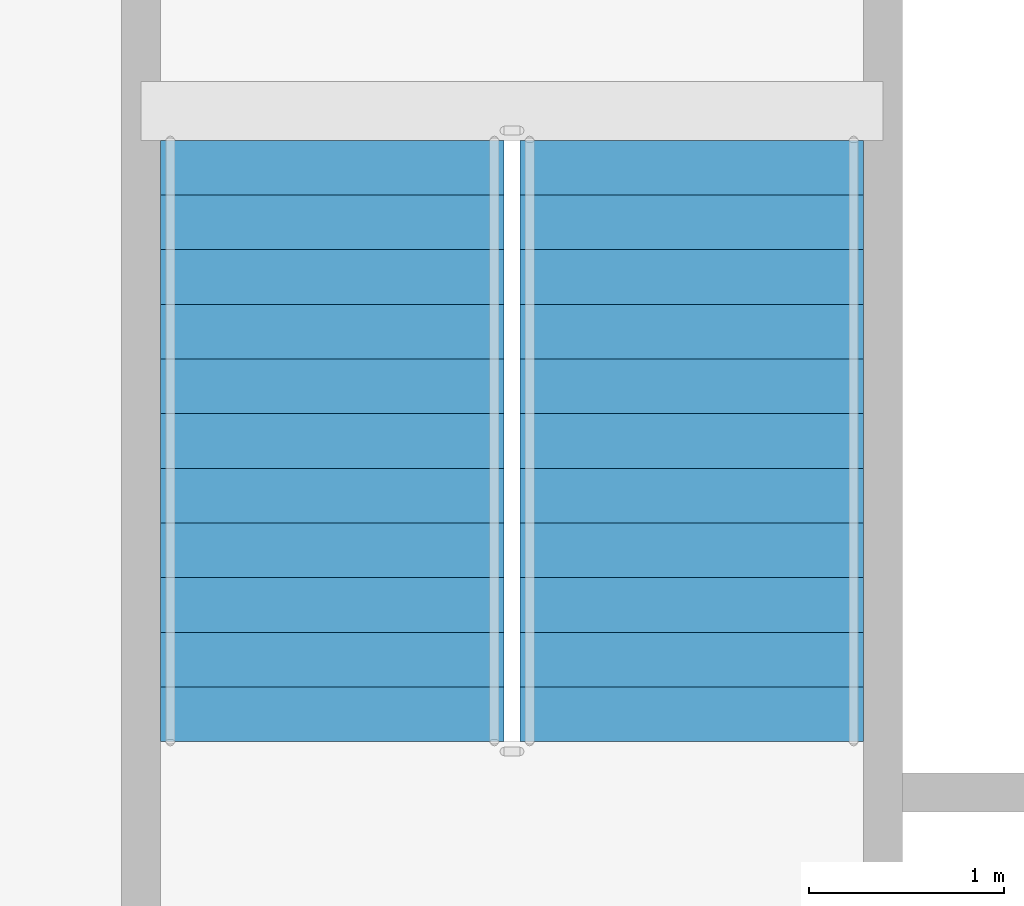
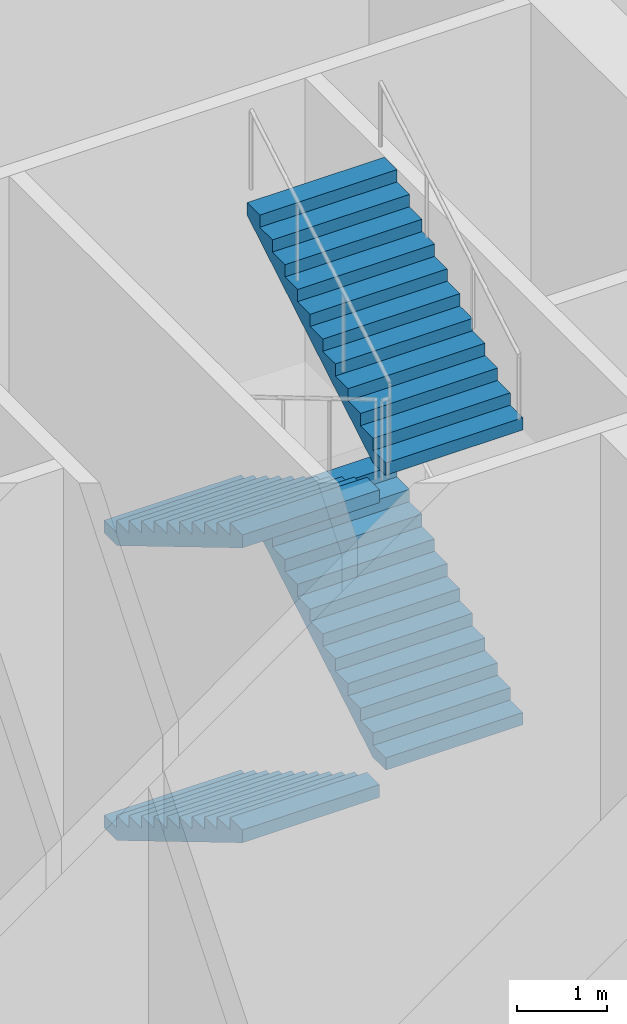
# One storey, part 53 of 63: 4 stair flights, 1 element without a shape of its own.
"""IFC4 building model written with IfcOpenShell, lengths in metres."""

from ifc_helpers import new_model, si_unit, direction, frame, origin, place, context, subcontext, project, spatial, faceted_brep, material, type_object, element, aggregate, save


model = new_model("IFC4")

# Units and contexts
model_context = context("Model", 3, precision=1e-05, world=origin(), true_north=direction((0.0, 1.0)))
body_context = subcontext(model_context, "Body", "Model", "MODEL_VIEW")
ifc_project = project(units=[si_unit("LENGTHUNIT", "METRE"), si_unit("AREAUNIT", "SQUARE_METRE"), si_unit("VOLUMEUNIT", "CUBIC_METRE"), si_unit("PLANEANGLEUNIT", "RADIAN"), si_unit("MASSUNIT", "GRAM", prefix="KILO")], contexts=[model_context])

# Site, building, storey
site_placement = place(None, origin())
site = spatial("IfcSite", under=ifc_project, at=site_placement, CompositionType="ELEMENT")
building_placement = place(site_placement, origin())
building = spatial("IfcBuilding", under=site, at=building_placement, Name="Tarsis Ring Headquarters", CompositionType="ELEMENT")
storey_placement = place(building_placement, frame((0.0, 0.0, 139.60009765625)))
storey = spatial("IfcBuildingStorey", under=building, at=storey_placement, Name="L32", CompositionType="ELEMENT", Elevation=139.60009765625)

# Stair, stair flights
ifc_material_1 = material(Name="Core stair 1760")
stair_type = type_object("IfcStairType", Name="Core stair 1760", PredefinedType="HALF_TURN_STAIR", material=ifc_material_1)
stair_placement = place(storey_placement, origin())
stair = element("IfcStair", 1, at=stair_placement, inside=storey, type_object=stair_type, Name="L32 Exit stair D", PredefinedType="HALF_TURN_STAIR")
ifc_material_2 = material(Name="Concrete C40/50", Category="concrete")
stair_flight_type = type_object("IfcStairFlightType", Name="Core stair flight 1760", PredefinedType="STRAIGHT", material=ifc_material_2)
stair_flight_1_placement = place(storey_placement, frame((3.580078125, -3.659912109375, 0.0), z_axis=(0.0, 0.0, 1.0), x_axis=(0.0, -1.0, 0.0)))
stair_flight_1 = element("IfcStairFlight", 2, at=stair_flight_1_placement, type_object=stair_flight_type, Name="Stair ST4 flight 1", NumberOfRisers=12, NumberOfTreads=11, PredefinedType="STRAIGHT", RiserHeight=0.166666667, TreadLength=0.28, context=body_context, shape_type="Brep", body=[
    faceted_brep([(0.0, 0.8798828125, 0.0), (0.0, 0.8798828125, 0.166748046875), (0.280029296875, 0.8798828125, 0.166748046875), (0.280029296875, 0.8798828125, 0.333251953125), (0.56005859375, 0.8798828125, 0.333251953125), (0.56005859375, 0.8798828125, 0.5), (0.840087890625, 0.8798828125, 0.5), (0.840087890625, 0.8798828125, 0.666748046875), (1.1201171875, 0.8798828125, 0.666748046875), (1.1201171875, 0.8798828125, 0.833251953125), (1.39990234375, 0.8798828125, 0.833251953125), (1.39990234375, 0.8798828125, 1.0), (1.679931640625, 0.8798828125, 1.0), (1.679931640625, 0.8798828125, 1.166748046875), (1.9599609375, 0.8798828125, 1.166748046875), (1.9599609375, 0.8798828125, 1.333251953125), (2.239990234375, 0.8798828125, 1.333251953125), (2.239990234375, 0.8798828125, 1.5), (2.52001953125, 0.8798828125, 1.5), (2.52001953125, 0.8798828125, 1.666748046875), (2.800048828125, 0.8798828125, 1.666748046875), (2.800048828125, 0.8798828125, 1.833251953125), (3.080078125, 0.8798828125, 1.833251953125), (3.080078125, 0.8798828125, 1.658935546875), (0.29296875, 0.8798828125, 0.0), (0.29296875, -0.8798828125, 0.0), (3.080078125, -0.8798828125, 1.658935546875), (3.080078125, -0.8798828125, 1.833251953125), (2.800048828125, -0.8798828125, 1.833251953125), (2.800048828125, -0.8798828125, 1.666748046875), (2.52001953125, -0.8798828125, 1.666748046875), (2.52001953125, -0.8798828125, 1.5), (2.239990234375, -0.8798828125, 1.5), (2.239990234375, -0.8798828125, 1.333251953125), (1.9599609375, -0.8798828125, 1.333251953125), (1.9599609375, -0.8798828125, 1.166748046875), (1.679931640625, -0.8798828125, 1.166748046875), (1.679931640625, -0.8798828125, 1.0), (1.39990234375, -0.8798828125, 1.0), (1.39990234375, -0.8798828125, 0.833251953125), (1.1201171875, -0.8798828125, 0.833251953125), (1.1201171875, -0.8798828125, 0.666748046875), (0.840087890625, -0.8798828125, 0.666748046875), (0.840087890625, -0.8798828125, 0.5), (0.56005859375, -0.8798828125, 0.5), (0.56005859375, -0.8798828125, 0.333251953125), (0.280029296875, -0.8798828125, 0.333251953125), (0.280029296875, -0.8798828125, 0.166748046875), (0.0, -0.8798828125, 0.166748046875), (0.0, -0.8798828125, 0.0), (0.0, -0.43994140625, 0.166748046875), (0.0, -0.43994140625, 0.0), (0.0, 0.0, 0.166748046875), (0.0, 0.0, 0.0), (0.0, 0.43994140625, 0.166748046875), (0.0, 0.43994140625, 0.0), (0.280029296875, -0.43994140625, 0.166748046875), (0.280029296875, 0.0, 0.166748046875), (0.280029296875, 0.43994140625, 0.166748046875), (0.280029296875, -0.43994140625, 0.333251953125), (0.280029296875, 0.0, 0.333251953125), (0.280029296875, 0.43994140625, 0.333251953125), (0.56005859375, -0.43994140625, 0.333251953125), (0.56005859375, 0.0, 0.333251953125), (0.56005859375, 0.43994140625, 0.333251953125), (0.56005859375, -0.43994140625, 0.5), (0.56005859375, 0.0, 0.5), (0.56005859375, 0.43994140625, 0.5), (0.840087890625, -0.43994140625, 0.5), (0.840087890625, 0.0, 0.5), (0.840087890625, 0.43994140625, 0.5), (0.840087890625, -0.43994140625, 0.666748046875), (0.840087890625, 0.0, 0.666748046875), (0.840087890625, 0.43994140625, 0.666748046875), (1.1201171875, -0.43994140625, 0.666748046875), (1.1201171875, 0.0, 0.666748046875), (1.1201171875, 0.43994140625, 0.666748046875), (1.1201171875, -0.43994140625, 0.833251953125), (1.1201171875, 0.0, 0.833251953125), (1.1201171875, 0.43994140625, 0.833251953125), (1.39990234375, -0.43994140625, 0.833251953125), (1.39990234375, 0.0, 0.833251953125), (1.39990234375, 0.43994140625, 0.833251953125), (1.39990234375, -0.43994140625, 1.0), (1.39990234375, 0.0, 1.0), (1.39990234375, 0.43994140625, 1.0), (1.679931640625, -0.43994140625, 1.0), (1.679931640625, 0.0, 1.0), (1.679931640625, 0.43994140625, 1.0), (1.679931640625, -0.43994140625, 1.166748046875), (1.679931640625, 0.0, 1.166748046875), (1.679931640625, 0.43994140625, 1.166748046875), (1.9599609375, -0.43994140625, 1.166748046875), (1.9599609375, 0.0, 1.166748046875), (1.9599609375, 0.43994140625, 1.166748046875), (1.9599609375, -0.43994140625, 1.333251953125), (1.9599609375, 0.0, 1.333251953125), (1.9599609375, 0.43994140625, 1.333251953125), (2.239990234375, -0.43994140625, 1.333251953125), (2.239990234375, 0.0, 1.333251953125), (2.239990234375, 0.43994140625, 1.333251953125), (2.239990234375, -0.43994140625, 1.5), (2.239990234375, 0.0, 1.5), (2.239990234375, 0.43994140625, 1.5), (2.52001953125, -0.43994140625, 1.5), (2.52001953125, 0.0, 1.5), (2.52001953125, 0.43994140625, 1.5), (2.52001953125, -0.43994140625, 1.666748046875), (2.52001953125, 0.0, 1.666748046875), (2.52001953125, 0.43994140625, 1.666748046875), (2.800048828125, -0.43994140625, 1.666748046875), (2.800048828125, 0.0, 1.666748046875), (2.800048828125, 0.43994140625, 1.666748046875), (2.800048828125, -0.43994140625, 1.833251953125), (2.800048828125, 0.0, 1.833251953125), (2.800048828125, 0.43994140625, 1.833251953125), (3.080078125, -0.43994140625, 1.833251953125), (3.080078125, 0.0, 1.833251953125), (3.080078125, 0.43994140625, 1.833251953125), (3.080078125, -0.43994140625, 1.658935546875), (3.080078125, 0.0, 1.658935546875), (3.080078125, 0.43994140625, 1.658935546875), (0.29296875, -0.43994140625, 0.0), (0.29296875, 0.0, 0.0), (0.29296875, 0.43994140625, 0.0)], [[[0, 1, 2, 3, 4, 5, 6, 7, 8, 9, 10, 11, 12, 13, 14, 15, 16, 17, 18, 19, 20, 21, 22, 23, 24]], [[25, 26, 27, 28, 29, 30, 31, 32, 33, 34, 35, 36, 37, 38, 39, 40, 41, 42, 43, 44, 45, 46, 47, 48, 49]], [[49, 48, 50, 51]], [[51, 50, 52, 53]], [[53, 52, 54, 55]], [[55, 54, 1, 0]], [[48, 47, 56, 50]], [[50, 56, 57, 52]], [[52, 57, 58, 54]], [[54, 58, 2, 1]], [[47, 46, 59, 56]], [[56, 59, 60, 57]], [[57, 60, 61, 58]], [[58, 61, 3, 2]], [[46, 45, 62, 59]], [[59, 62, 63, 60]], [[60, 63, 64, 61]], [[61, 64, 4, 3]], [[45, 44, 65, 62]], [[62, 65, 66, 63]], [[63, 66, 67, 64]], [[64, 67, 5, 4]], [[44, 43, 68, 65]], [[65, 68, 69, 66]], [[66, 69, 70, 67]], [[67, 70, 6, 5]], [[43, 42, 71, 68]], [[68, 71, 72, 69]], [[69, 72, 73, 70]], [[70, 73, 7, 6]], [[42, 41, 74, 71]], [[71, 74, 75, 72]], [[72, 75, 76, 73]], [[73, 76, 8, 7]], [[41, 40, 77, 74]], [[74, 77, 78, 75]], [[75, 78, 79, 76]], [[76, 79, 9, 8]], [[40, 39, 80, 77]], [[77, 80, 81, 78]], [[78, 81, 82, 79]], [[79, 82, 10, 9]], [[39, 38, 83, 80]], [[80, 83, 84, 81]], [[81, 84, 85, 82]], [[82, 85, 11, 10]], [[38, 37, 86, 83]], [[83, 86, 87, 84]], [[84, 87, 88, 85]], [[85, 88, 12, 11]], [[37, 36, 89, 86]], [[86, 89, 90, 87]], [[87, 90, 91, 88]], [[88, 91, 13, 12]], [[36, 35, 92, 89]], [[89, 92, 93, 90]], [[90, 93, 94, 91]], [[91, 94, 14, 13]], [[35, 34, 95, 92]], [[92, 95, 96, 93]], [[93, 96, 97, 94]], [[94, 97, 15, 14]], [[34, 33, 98, 95]], [[95, 98, 99, 96]], [[96, 99, 100, 97]], [[97, 100, 16, 15]], [[33, 32, 101, 98]], [[98, 101, 102, 99]], [[99, 102, 103, 100]], [[100, 103, 17, 16]], [[32, 31, 104, 101]], [[101, 104, 105, 102]], [[102, 105, 106, 103]], [[103, 106, 18, 17]], [[31, 30, 107, 104]], [[104, 107, 108, 105]], [[105, 108, 109, 106]], [[106, 109, 19, 18]], [[30, 29, 110, 107]], [[107, 110, 111, 108]], [[108, 111, 112, 109]], [[109, 112, 20, 19]], [[29, 28, 113, 110]], [[110, 113, 114, 111]], [[111, 114, 115, 112]], [[112, 115, 21, 20]], [[28, 27, 116, 113]], [[113, 116, 117, 114]], [[114, 117, 118, 115]], [[115, 118, 22, 21]], [[27, 26, 119, 116]], [[116, 119, 120, 117]], [[117, 120, 121, 118]], [[118, 121, 23, 22]], [[26, 25, 122, 119]], [[119, 122, 123, 120]], [[120, 123, 124, 121]], [[121, 124, 24, 23]], [[25, 49, 51, 122]], [[122, 51, 53, 123]], [[123, 53, 55, 124]], [[124, 55, 0, 24]]]),
])
stair_flight_2_placement = place(storey_placement, frame((5.419921875, -6.739990234375, 2.0), z_axis=(0.0, 0.0, 1.0), x_axis=(0.0, 1.0, 0.0)))
stair_flight_2 = element("IfcStairFlight", 3, at=stair_flight_2_placement, type_object=stair_flight_type, Name="Stair ST4 flight 2", NumberOfRisers=12, NumberOfTreads=11, PredefinedType="STRAIGHT", RiserHeight=0.166666667, TreadLength=0.28, context=body_context, shape_type="Brep", body=[
    faceted_brep([(0.0, 0.8798828125, 0.0), (0.0, 0.8798828125, 0.166748046875), (0.280029296875, 0.8798828125, 0.166748046875), (0.280029296875, 0.8798828125, 0.333251953125), (0.56005859375, 0.8798828125, 0.333251953125), (0.56005859375, 0.8798828125, 0.5), (0.840087890625, 0.8798828125, 0.5), (0.840087890625, 0.8798828125, 0.666748046875), (1.1201171875, 0.8798828125, 0.666748046875), (1.1201171875, 0.8798828125, 0.833251953125), (1.39990234375, 0.8798828125, 0.833251953125), (1.39990234375, 0.8798828125, 1.0), (1.679931640625, 0.8798828125, 1.0), (1.679931640625, 0.8798828125, 1.166748046875), (1.9599609375, 0.8798828125, 1.166748046875), (1.9599609375, 0.8798828125, 1.333251953125), (2.239990234375, 0.8798828125, 1.333251953125), (2.239990234375, 0.8798828125, 1.5), (2.52001953125, 0.8798828125, 1.5), (2.52001953125, 0.8798828125, 1.666748046875), (2.800048828125, 0.8798828125, 1.666748046875), (2.800048828125, 0.8798828125, 1.833251953125), (3.080078125, 0.8798828125, 1.833251953125), (3.080078125, 0.8798828125, 1.658935546875), (0.29296875, 0.8798828125, 0.0), (0.29296875, -0.8798828125, 0.0), (3.080078125, -0.8798828125, 1.658935546875), (3.080078125, -0.8798828125, 1.833251953125), (2.800048828125, -0.8798828125, 1.833251953125), (2.800048828125, -0.8798828125, 1.666748046875), (2.52001953125, -0.8798828125, 1.666748046875), (2.52001953125, -0.8798828125, 1.5), (2.239990234375, -0.8798828125, 1.5), (2.239990234375, -0.8798828125, 1.333251953125), (1.9599609375, -0.8798828125, 1.333251953125), (1.9599609375, -0.8798828125, 1.166748046875), (1.679931640625, -0.8798828125, 1.166748046875), (1.679931640625, -0.8798828125, 1.0), (1.39990234375, -0.8798828125, 1.0), (1.39990234375, -0.8798828125, 0.833251953125), (1.1201171875, -0.8798828125, 0.833251953125), (1.1201171875, -0.8798828125, 0.666748046875), (0.840087890625, -0.8798828125, 0.666748046875), (0.840087890625, -0.8798828125, 0.5), (0.56005859375, -0.8798828125, 0.5), (0.56005859375, -0.8798828125, 0.333251953125), (0.280029296875, -0.8798828125, 0.333251953125), (0.280029296875, -0.8798828125, 0.166748046875), (0.0, -0.8798828125, 0.166748046875), (0.0, -0.8798828125, 0.0), (0.0, -0.43994140625, 0.166748046875), (0.0, -0.43994140625, 0.0), (0.0, 0.0, 0.166748046875), (0.0, 0.0, 0.0), (0.0, 0.43994140625, 0.166748046875), (0.0, 0.43994140625, 0.0), (0.280029296875, -0.43994140625, 0.166748046875), (0.280029296875, 0.0, 0.166748046875), (0.280029296875, 0.43994140625, 0.166748046875), (0.280029296875, -0.43994140625, 0.333251953125), (0.280029296875, 0.0, 0.333251953125), (0.280029296875, 0.43994140625, 0.333251953125), (0.56005859375, -0.43994140625, 0.333251953125), (0.56005859375, 0.0, 0.333251953125), (0.56005859375, 0.43994140625, 0.333251953125), (0.56005859375, -0.43994140625, 0.5), (0.56005859375, 0.0, 0.5), (0.56005859375, 0.43994140625, 0.5), (0.840087890625, -0.43994140625, 0.5), (0.840087890625, 0.0, 0.5), (0.840087890625, 0.43994140625, 0.5), (0.840087890625, -0.43994140625, 0.666748046875), (0.840087890625, 0.0, 0.666748046875), (0.840087890625, 0.43994140625, 0.666748046875), (1.1201171875, -0.43994140625, 0.666748046875), (1.1201171875, 0.0, 0.666748046875), (1.1201171875, 0.43994140625, 0.666748046875), (1.1201171875, -0.43994140625, 0.833251953125), (1.1201171875, 0.0, 0.833251953125), (1.1201171875, 0.43994140625, 0.833251953125), (1.39990234375, -0.43994140625, 0.833251953125), (1.39990234375, 0.0, 0.833251953125), (1.39990234375, 0.43994140625, 0.833251953125), (1.39990234375, -0.43994140625, 1.0), (1.39990234375, 0.0, 1.0), (1.39990234375, 0.43994140625, 1.0), (1.679931640625, -0.43994140625, 1.0), (1.679931640625, 0.0, 1.0), (1.679931640625, 0.43994140625, 1.0), (1.679931640625, -0.43994140625, 1.166748046875), (1.679931640625, 0.0, 1.166748046875), (1.679931640625, 0.43994140625, 1.166748046875), (1.9599609375, -0.43994140625, 1.166748046875), (1.9599609375, 0.0, 1.166748046875), (1.9599609375, 0.43994140625, 1.166748046875), (1.9599609375, -0.43994140625, 1.333251953125), (1.9599609375, 0.0, 1.333251953125), (1.9599609375, 0.43994140625, 1.333251953125), (2.239990234375, -0.43994140625, 1.333251953125), (2.239990234375, 0.0, 1.333251953125), (2.239990234375, 0.43994140625, 1.333251953125), (2.239990234375, -0.43994140625, 1.5), (2.239990234375, 0.0, 1.5), (2.239990234375, 0.43994140625, 1.5), (2.52001953125, -0.43994140625, 1.5), (2.52001953125, 0.0, 1.5), (2.52001953125, 0.43994140625, 1.5), (2.52001953125, -0.43994140625, 1.666748046875), (2.52001953125, 0.0, 1.666748046875), (2.52001953125, 0.43994140625, 1.666748046875), (2.800048828125, -0.43994140625, 1.666748046875), (2.800048828125, 0.0, 1.666748046875), (2.800048828125, 0.43994140625, 1.666748046875), (2.800048828125, -0.43994140625, 1.833251953125), (2.800048828125, 0.0, 1.833251953125), (2.800048828125, 0.43994140625, 1.833251953125), (3.080078125, -0.43994140625, 1.833251953125), (3.080078125, 0.0, 1.833251953125), (3.080078125, 0.43994140625, 1.833251953125), (3.080078125, -0.43994140625, 1.658935546875), (3.080078125, 0.0, 1.658935546875), (3.080078125, 0.43994140625, 1.658935546875), (0.29296875, -0.43994140625, 0.0), (0.29296875, 0.0, 0.0), (0.29296875, 0.43994140625, 0.0)], [[[0, 1, 2, 3, 4, 5, 6, 7, 8, 9, 10, 11, 12, 13, 14, 15, 16, 17, 18, 19, 20, 21, 22, 23, 24]], [[25, 26, 27, 28, 29, 30, 31, 32, 33, 34, 35, 36, 37, 38, 39, 40, 41, 42, 43, 44, 45, 46, 47, 48, 49]], [[49, 48, 50, 51]], [[51, 50, 52, 53]], [[53, 52, 54, 55]], [[55, 54, 1, 0]], [[48, 47, 56, 50]], [[50, 56, 57, 52]], [[52, 57, 58, 54]], [[54, 58, 2, 1]], [[47, 46, 59, 56]], [[56, 59, 60, 57]], [[57, 60, 61, 58]], [[58, 61, 3, 2]], [[46, 45, 62, 59]], [[59, 62, 63, 60]], [[60, 63, 64, 61]], [[61, 64, 4, 3]], [[45, 44, 65, 62]], [[62, 65, 66, 63]], [[63, 66, 67, 64]], [[64, 67, 5, 4]], [[44, 43, 68, 65]], [[65, 68, 69, 66]], [[66, 69, 70, 67]], [[67, 70, 6, 5]], [[43, 42, 71, 68]], [[68, 71, 72, 69]], [[69, 72, 73, 70]], [[70, 73, 7, 6]], [[42, 41, 74, 71]], [[71, 74, 75, 72]], [[72, 75, 76, 73]], [[73, 76, 8, 7]], [[41, 40, 77, 74]], [[74, 77, 78, 75]], [[75, 78, 79, 76]], [[76, 79, 9, 8]], [[40, 39, 80, 77]], [[77, 80, 81, 78]], [[78, 81, 82, 79]], [[79, 82, 10, 9]], [[39, 38, 83, 80]], [[80, 83, 84, 81]], [[81, 84, 85, 82]], [[82, 85, 11, 10]], [[38, 37, 86, 83]], [[83, 86, 87, 84]], [[84, 87, 88, 85]], [[85, 88, 12, 11]], [[37, 36, 89, 86]], [[86, 89, 90, 87]], [[87, 90, 91, 88]], [[88, 91, 13, 12]], [[36, 35, 92, 89]], [[89, 92, 93, 90]], [[90, 93, 94, 91]], [[91, 94, 14, 13]], [[35, 34, 95, 92]], [[92, 95, 96, 93]], [[93, 96, 97, 94]], [[94, 97, 15, 14]], [[34, 33, 98, 95]], [[95, 98, 99, 96]], [[96, 99, 100, 97]], [[97, 100, 16, 15]], [[33, 32, 101, 98]], [[98, 101, 102, 99]], [[99, 102, 103, 100]], [[100, 103, 17, 16]], [[32, 31, 104, 101]], [[101, 104, 105, 102]], [[102, 105, 106, 103]], [[103, 106, 18, 17]], [[31, 30, 107, 104]], [[104, 107, 108, 105]], [[105, 108, 109, 106]], [[106, 109, 19, 18]], [[30, 29, 110, 107]], [[107, 110, 111, 108]], [[108, 111, 112, 109]], [[109, 112, 20, 19]], [[29, 28, 113, 110]], [[110, 113, 114, 111]], [[111, 114, 115, 112]], [[112, 115, 21, 20]], [[28, 27, 116, 113]], [[113, 116, 117, 114]], [[114, 117, 118, 115]], [[115, 118, 22, 21]], [[27, 26, 119, 116]], [[116, 119, 120, 117]], [[117, 120, 121, 118]], [[118, 121, 23, 22]], [[26, 25, 122, 119]], [[119, 122, 123, 120]], [[120, 123, 124, 121]], [[121, 124, 24, 23]], [[25, 49, 51, 122]], [[122, 51, 53, 123]], [[123, 53, 55, 124]], [[124, 55, 0, 24]]]),
])
stair_flight_3_placement = place(storey_placement, frame((3.580078125, -3.659912109375, 4.0), z_axis=(0.0, 0.0, 1.0), x_axis=(0.0, -1.0, 0.0)))
stair_flight_3 = element("IfcStairFlight", 4, at=stair_flight_3_placement, type_object=stair_flight_type, Name="Stair ST4 flight 3", NumberOfRisers=12, NumberOfTreads=11, PredefinedType="STRAIGHT", RiserHeight=0.166666667, TreadLength=0.28, context=body_context, shape_type="Brep", body=[
    faceted_brep([(0.0, 0.8798828125, 0.0), (0.0, 0.8798828125, 0.166748046875), (0.280029296875, 0.8798828125, 0.166748046875), (0.280029296875, 0.8798828125, 0.333251953125), (0.56005859375, 0.8798828125, 0.333251953125), (0.56005859375, 0.8798828125, 0.5), (0.840087890625, 0.8798828125, 0.5), (0.840087890625, 0.8798828125, 0.666748046875), (1.1201171875, 0.8798828125, 0.666748046875), (1.1201171875, 0.8798828125, 0.833251953125), (1.39990234375, 0.8798828125, 0.833251953125), (1.39990234375, 0.8798828125, 1.0), (1.679931640625, 0.8798828125, 1.0), (1.679931640625, 0.8798828125, 1.166748046875), (1.9599609375, 0.8798828125, 1.166748046875), (1.9599609375, 0.8798828125, 1.333251953125), (2.239990234375, 0.8798828125, 1.333251953125), (2.239990234375, 0.8798828125, 1.5), (2.52001953125, 0.8798828125, 1.5), (2.52001953125, 0.8798828125, 1.666748046875), (2.800048828125, 0.8798828125, 1.666748046875), (2.800048828125, 0.8798828125, 1.833251953125), (3.080078125, 0.8798828125, 1.833251953125), (3.080078125, 0.8798828125, 1.658935546875), (0.29296875, 0.8798828125, 0.0), (0.29296875, -0.8798828125, 0.0), (3.080078125, -0.8798828125, 1.658935546875), (3.080078125, -0.8798828125, 1.833251953125), (2.800048828125, -0.8798828125, 1.833251953125), (2.800048828125, -0.8798828125, 1.666748046875), (2.52001953125, -0.8798828125, 1.666748046875), (2.52001953125, -0.8798828125, 1.5), (2.239990234375, -0.8798828125, 1.5), (2.239990234375, -0.8798828125, 1.333251953125), (1.9599609375, -0.8798828125, 1.333251953125), (1.9599609375, -0.8798828125, 1.166748046875), (1.679931640625, -0.8798828125, 1.166748046875), (1.679931640625, -0.8798828125, 1.0), (1.39990234375, -0.8798828125, 1.0), (1.39990234375, -0.8798828125, 0.833251953125), (1.1201171875, -0.8798828125, 0.833251953125), (1.1201171875, -0.8798828125, 0.666748046875), (0.840087890625, -0.8798828125, 0.666748046875), (0.840087890625, -0.8798828125, 0.5), (0.56005859375, -0.8798828125, 0.5), (0.56005859375, -0.8798828125, 0.333251953125), (0.280029296875, -0.8798828125, 0.333251953125), (0.280029296875, -0.8798828125, 0.166748046875), (0.0, -0.8798828125, 0.166748046875), (0.0, -0.8798828125, 0.0), (0.0, -0.43994140625, 0.166748046875), (0.0, -0.43994140625, 0.0), (0.0, 0.0, 0.166748046875), (0.0, 0.0, 0.0), (0.0, 0.43994140625, 0.166748046875), (0.0, 0.43994140625, 0.0), (0.280029296875, -0.43994140625, 0.166748046875), (0.280029296875, 0.0, 0.166748046875), (0.280029296875, 0.43994140625, 0.166748046875), (0.280029296875, -0.43994140625, 0.333251953125), (0.280029296875, 0.0, 0.333251953125), (0.280029296875, 0.43994140625, 0.333251953125), (0.56005859375, -0.43994140625, 0.333251953125), (0.56005859375, 0.0, 0.333251953125), (0.56005859375, 0.43994140625, 0.333251953125), (0.56005859375, -0.43994140625, 0.5), (0.56005859375, 0.0, 0.5), (0.56005859375, 0.43994140625, 0.5), (0.840087890625, -0.43994140625, 0.5), (0.840087890625, 0.0, 0.5), (0.840087890625, 0.43994140625, 0.5), (0.840087890625, -0.43994140625, 0.666748046875), (0.840087890625, 0.0, 0.666748046875), (0.840087890625, 0.43994140625, 0.666748046875), (1.1201171875, -0.43994140625, 0.666748046875), (1.1201171875, 0.0, 0.666748046875), (1.1201171875, 0.43994140625, 0.666748046875), (1.1201171875, -0.43994140625, 0.833251953125), (1.1201171875, 0.0, 0.833251953125), (1.1201171875, 0.43994140625, 0.833251953125), (1.39990234375, -0.43994140625, 0.833251953125), (1.39990234375, 0.0, 0.833251953125), (1.39990234375, 0.43994140625, 0.833251953125), (1.39990234375, -0.43994140625, 1.0), (1.39990234375, 0.0, 1.0), (1.39990234375, 0.43994140625, 1.0), (1.679931640625, -0.43994140625, 1.0), (1.679931640625, 0.0, 1.0), (1.679931640625, 0.43994140625, 1.0), (1.679931640625, -0.43994140625, 1.166748046875), (1.679931640625, 0.0, 1.166748046875), (1.679931640625, 0.43994140625, 1.166748046875), (1.9599609375, -0.43994140625, 1.166748046875), (1.9599609375, 0.0, 1.166748046875), (1.9599609375, 0.43994140625, 1.166748046875), (1.9599609375, -0.43994140625, 1.333251953125), (1.9599609375, 0.0, 1.333251953125), (1.9599609375, 0.43994140625, 1.333251953125), (2.239990234375, -0.43994140625, 1.333251953125), (2.239990234375, 0.0, 1.333251953125), (2.239990234375, 0.43994140625, 1.333251953125), (2.239990234375, -0.43994140625, 1.5), (2.239990234375, 0.0, 1.5), (2.239990234375, 0.43994140625, 1.5), (2.52001953125, -0.43994140625, 1.5), (2.52001953125, 0.0, 1.5), (2.52001953125, 0.43994140625, 1.5), (2.52001953125, -0.43994140625, 1.666748046875), (2.52001953125, 0.0, 1.666748046875), (2.52001953125, 0.43994140625, 1.666748046875), (2.800048828125, -0.43994140625, 1.666748046875), (2.800048828125, 0.0, 1.666748046875), (2.800048828125, 0.43994140625, 1.666748046875), (2.800048828125, -0.43994140625, 1.833251953125), (2.800048828125, 0.0, 1.833251953125), (2.800048828125, 0.43994140625, 1.833251953125), (3.080078125, -0.43994140625, 1.833251953125), (3.080078125, 0.0, 1.833251953125), (3.080078125, 0.43994140625, 1.833251953125), (3.080078125, -0.43994140625, 1.658935546875), (3.080078125, 0.0, 1.658935546875), (3.080078125, 0.43994140625, 1.658935546875), (0.29296875, -0.43994140625, 0.0), (0.29296875, 0.0, 0.0), (0.29296875, 0.43994140625, 0.0)], [[[0, 1, 2, 3, 4, 5, 6, 7, 8, 9, 10, 11, 12, 13, 14, 15, 16, 17, 18, 19, 20, 21, 22, 23, 24]], [[25, 26, 27, 28, 29, 30, 31, 32, 33, 34, 35, 36, 37, 38, 39, 40, 41, 42, 43, 44, 45, 46, 47, 48, 49]], [[49, 48, 50, 51]], [[51, 50, 52, 53]], [[53, 52, 54, 55]], [[55, 54, 1, 0]], [[48, 47, 56, 50]], [[50, 56, 57, 52]], [[52, 57, 58, 54]], [[54, 58, 2, 1]], [[47, 46, 59, 56]], [[56, 59, 60, 57]], [[57, 60, 61, 58]], [[58, 61, 3, 2]], [[46, 45, 62, 59]], [[59, 62, 63, 60]], [[60, 63, 64, 61]], [[61, 64, 4, 3]], [[45, 44, 65, 62]], [[62, 65, 66, 63]], [[63, 66, 67, 64]], [[64, 67, 5, 4]], [[44, 43, 68, 65]], [[65, 68, 69, 66]], [[66, 69, 70, 67]], [[67, 70, 6, 5]], [[43, 42, 71, 68]], [[68, 71, 72, 69]], [[69, 72, 73, 70]], [[70, 73, 7, 6]], [[42, 41, 74, 71]], [[71, 74, 75, 72]], [[72, 75, 76, 73]], [[73, 76, 8, 7]], [[41, 40, 77, 74]], [[74, 77, 78, 75]], [[75, 78, 79, 76]], [[76, 79, 9, 8]], [[40, 39, 80, 77]], [[77, 80, 81, 78]], [[78, 81, 82, 79]], [[79, 82, 10, 9]], [[39, 38, 83, 80]], [[80, 83, 84, 81]], [[81, 84, 85, 82]], [[82, 85, 11, 10]], [[38, 37, 86, 83]], [[83, 86, 87, 84]], [[84, 87, 88, 85]], [[85, 88, 12, 11]], [[37, 36, 89, 86]], [[86, 89, 90, 87]], [[87, 90, 91, 88]], [[88, 91, 13, 12]], [[36, 35, 92, 89]], [[89, 92, 93, 90]], [[90, 93, 94, 91]], [[91, 94, 14, 13]], [[35, 34, 95, 92]], [[92, 95, 96, 93]], [[93, 96, 97, 94]], [[94, 97, 15, 14]], [[34, 33, 98, 95]], [[95, 98, 99, 96]], [[96, 99, 100, 97]], [[97, 100, 16, 15]], [[33, 32, 101, 98]], [[98, 101, 102, 99]], [[99, 102, 103, 100]], [[100, 103, 17, 16]], [[32, 31, 104, 101]], [[101, 104, 105, 102]], [[102, 105, 106, 103]], [[103, 106, 18, 17]], [[31, 30, 107, 104]], [[104, 107, 108, 105]], [[105, 108, 109, 106]], [[106, 109, 19, 18]], [[30, 29, 110, 107]], [[107, 110, 111, 108]], [[108, 111, 112, 109]], [[109, 112, 20, 19]], [[29, 28, 113, 110]], [[110, 113, 114, 111]], [[111, 114, 115, 112]], [[112, 115, 21, 20]], [[28, 27, 116, 113]], [[113, 116, 117, 114]], [[114, 117, 118, 115]], [[115, 118, 22, 21]], [[27, 26, 119, 116]], [[116, 119, 120, 117]], [[117, 120, 121, 118]], [[118, 121, 23, 22]], [[26, 25, 122, 119]], [[119, 122, 123, 120]], [[120, 123, 124, 121]], [[121, 124, 24, 23]], [[25, 49, 51, 122]], [[122, 51, 53, 123]], [[123, 53, 55, 124]], [[124, 55, 0, 24]]]),
])
stair_flight_4_placement = place(storey_placement, frame((5.419921875, -6.739990234375, 6.0), z_axis=(0.0, 0.0, 1.0), x_axis=(0.0, 1.0, 0.0)))
stair_flight_4 = element("IfcStairFlight", 5, at=stair_flight_4_placement, type_object=stair_flight_type, Name="Stair ST4 flight 4", NumberOfRisers=12, NumberOfTreads=11, PredefinedType="STRAIGHT", RiserHeight=0.166666667, TreadLength=0.28, context=body_context, shape_type="Brep", body=[
    faceted_brep([(0.0, 0.8798828125, 0.0), (0.0, 0.8798828125, 0.166748046875), (0.280029296875, 0.8798828125, 0.166748046875), (0.280029296875, 0.8798828125, 0.333251953125), (0.56005859375, 0.8798828125, 0.333251953125), (0.56005859375, 0.8798828125, 0.5), (0.840087890625, 0.8798828125, 0.5), (0.840087890625, 0.8798828125, 0.666748046875), (1.1201171875, 0.8798828125, 0.666748046875), (1.1201171875, 0.8798828125, 0.833251953125), (1.39990234375, 0.8798828125, 0.833251953125), (1.39990234375, 0.8798828125, 1.0), (1.679931640625, 0.8798828125, 1.0), (1.679931640625, 0.8798828125, 1.166748046875), (1.9599609375, 0.8798828125, 1.166748046875), (1.9599609375, 0.8798828125, 1.333251953125), (2.239990234375, 0.8798828125, 1.333251953125), (2.239990234375, 0.8798828125, 1.5), (2.52001953125, 0.8798828125, 1.5), (2.52001953125, 0.8798828125, 1.666748046875), (2.800048828125, 0.8798828125, 1.666748046875), (2.800048828125, 0.8798828125, 1.833251953125), (3.080078125, 0.8798828125, 1.833251953125), (3.080078125, 0.8798828125, 1.658935546875), (0.29296875, 0.8798828125, 0.0), (0.29296875, -0.8798828125, 0.0), (3.080078125, -0.8798828125, 1.658935546875), (3.080078125, -0.8798828125, 1.833251953125), (2.800048828125, -0.8798828125, 1.833251953125), (2.800048828125, -0.8798828125, 1.666748046875), (2.52001953125, -0.8798828125, 1.666748046875), (2.52001953125, -0.8798828125, 1.5), (2.239990234375, -0.8798828125, 1.5), (2.239990234375, -0.8798828125, 1.333251953125), (1.9599609375, -0.8798828125, 1.333251953125), (1.9599609375, -0.8798828125, 1.166748046875), (1.679931640625, -0.8798828125, 1.166748046875), (1.679931640625, -0.8798828125, 1.0), (1.39990234375, -0.8798828125, 1.0), (1.39990234375, -0.8798828125, 0.833251953125), (1.1201171875, -0.8798828125, 0.833251953125), (1.1201171875, -0.8798828125, 0.666748046875), (0.840087890625, -0.8798828125, 0.666748046875), (0.840087890625, -0.8798828125, 0.5), (0.56005859375, -0.8798828125, 0.5), (0.56005859375, -0.8798828125, 0.333251953125), (0.280029296875, -0.8798828125, 0.333251953125), (0.280029296875, -0.8798828125, 0.166748046875), (0.0, -0.8798828125, 0.166748046875), (0.0, -0.8798828125, 0.0), (0.0, -0.43994140625, 0.166748046875), (0.0, -0.43994140625, 0.0), (0.0, 0.0, 0.166748046875), (0.0, 0.0, 0.0), (0.0, 0.43994140625, 0.166748046875), (0.0, 0.43994140625, 0.0), (0.280029296875, -0.43994140625, 0.166748046875), (0.280029296875, 0.0, 0.166748046875), (0.280029296875, 0.43994140625, 0.166748046875), (0.280029296875, -0.43994140625, 0.333251953125), (0.280029296875, 0.0, 0.333251953125), (0.280029296875, 0.43994140625, 0.333251953125), (0.56005859375, -0.43994140625, 0.333251953125), (0.56005859375, 0.0, 0.333251953125), (0.56005859375, 0.43994140625, 0.333251953125), (0.56005859375, -0.43994140625, 0.5), (0.56005859375, 0.0, 0.5), (0.56005859375, 0.43994140625, 0.5), (0.840087890625, -0.43994140625, 0.5), (0.840087890625, 0.0, 0.5), (0.840087890625, 0.43994140625, 0.5), (0.840087890625, -0.43994140625, 0.666748046875), (0.840087890625, 0.0, 0.666748046875), (0.840087890625, 0.43994140625, 0.666748046875), (1.1201171875, -0.43994140625, 0.666748046875), (1.1201171875, 0.0, 0.666748046875), (1.1201171875, 0.43994140625, 0.666748046875), (1.1201171875, -0.43994140625, 0.833251953125), (1.1201171875, 0.0, 0.833251953125), (1.1201171875, 0.43994140625, 0.833251953125), (1.39990234375, -0.43994140625, 0.833251953125), (1.39990234375, 0.0, 0.833251953125), (1.39990234375, 0.43994140625, 0.833251953125), (1.39990234375, -0.43994140625, 1.0), (1.39990234375, 0.0, 1.0), (1.39990234375, 0.43994140625, 1.0), (1.679931640625, -0.43994140625, 1.0), (1.679931640625, 0.0, 1.0), (1.679931640625, 0.43994140625, 1.0), (1.679931640625, -0.43994140625, 1.166748046875), (1.679931640625, 0.0, 1.166748046875), (1.679931640625, 0.43994140625, 1.166748046875), (1.9599609375, -0.43994140625, 1.166748046875), (1.9599609375, 0.0, 1.166748046875), (1.9599609375, 0.43994140625, 1.166748046875), (1.9599609375, -0.43994140625, 1.333251953125), (1.9599609375, 0.0, 1.333251953125), (1.9599609375, 0.43994140625, 1.333251953125), (2.239990234375, -0.43994140625, 1.333251953125), (2.239990234375, 0.0, 1.333251953125), (2.239990234375, 0.43994140625, 1.333251953125), (2.239990234375, -0.43994140625, 1.5), (2.239990234375, 0.0, 1.5), (2.239990234375, 0.43994140625, 1.5), (2.52001953125, -0.43994140625, 1.5), (2.52001953125, 0.0, 1.5), (2.52001953125, 0.43994140625, 1.5), (2.52001953125, -0.43994140625, 1.666748046875), (2.52001953125, 0.0, 1.666748046875), (2.52001953125, 0.43994140625, 1.666748046875), (2.800048828125, -0.43994140625, 1.666748046875), (2.800048828125, 0.0, 1.666748046875), (2.800048828125, 0.43994140625, 1.666748046875), (2.800048828125, -0.43994140625, 1.833251953125), (2.800048828125, 0.0, 1.833251953125), (2.800048828125, 0.43994140625, 1.833251953125), (3.080078125, -0.43994140625, 1.833251953125), (3.080078125, 0.0, 1.833251953125), (3.080078125, 0.43994140625, 1.833251953125), (3.080078125, -0.43994140625, 1.658935546875), (3.080078125, 0.0, 1.658935546875), (3.080078125, 0.43994140625, 1.658935546875), (0.29296875, -0.43994140625, 0.0), (0.29296875, 0.0, 0.0), (0.29296875, 0.43994140625, 0.0)], [[[0, 1, 2, 3, 4, 5, 6, 7, 8, 9, 10, 11, 12, 13, 14, 15, 16, 17, 18, 19, 20, 21, 22, 23, 24]], [[25, 26, 27, 28, 29, 30, 31, 32, 33, 34, 35, 36, 37, 38, 39, 40, 41, 42, 43, 44, 45, 46, 47, 48, 49]], [[49, 48, 50, 51]], [[51, 50, 52, 53]], [[53, 52, 54, 55]], [[55, 54, 1, 0]], [[48, 47, 56, 50]], [[50, 56, 57, 52]], [[52, 57, 58, 54]], [[54, 58, 2, 1]], [[47, 46, 59, 56]], [[56, 59, 60, 57]], [[57, 60, 61, 58]], [[58, 61, 3, 2]], [[46, 45, 62, 59]], [[59, 62, 63, 60]], [[60, 63, 64, 61]], [[61, 64, 4, 3]], [[45, 44, 65, 62]], [[62, 65, 66, 63]], [[63, 66, 67, 64]], [[64, 67, 5, 4]], [[44, 43, 68, 65]], [[65, 68, 69, 66]], [[66, 69, 70, 67]], [[67, 70, 6, 5]], [[43, 42, 71, 68]], [[68, 71, 72, 69]], [[69, 72, 73, 70]], [[70, 73, 7, 6]], [[42, 41, 74, 71]], [[71, 74, 75, 72]], [[72, 75, 76, 73]], [[73, 76, 8, 7]], [[41, 40, 77, 74]], [[74, 77, 78, 75]], [[75, 78, 79, 76]], [[76, 79, 9, 8]], [[40, 39, 80, 77]], [[77, 80, 81, 78]], [[78, 81, 82, 79]], [[79, 82, 10, 9]], [[39, 38, 83, 80]], [[80, 83, 84, 81]], [[81, 84, 85, 82]], [[82, 85, 11, 10]], [[38, 37, 86, 83]], [[83, 86, 87, 84]], [[84, 87, 88, 85]], [[85, 88, 12, 11]], [[37, 36, 89, 86]], [[86, 89, 90, 87]], [[87, 90, 91, 88]], [[88, 91, 13, 12]], [[36, 35, 92, 89]], [[89, 92, 93, 90]], [[90, 93, 94, 91]], [[91, 94, 14, 13]], [[35, 34, 95, 92]], [[92, 95, 96, 93]], [[93, 96, 97, 94]], [[94, 97, 15, 14]], [[34, 33, 98, 95]], [[95, 98, 99, 96]], [[96, 99, 100, 97]], [[97, 100, 16, 15]], [[33, 32, 101, 98]], [[98, 101, 102, 99]], [[99, 102, 103, 100]], [[100, 103, 17, 16]], [[32, 31, 104, 101]], [[101, 104, 105, 102]], [[102, 105, 106, 103]], [[103, 106, 18, 17]], [[31, 30, 107, 104]], [[104, 107, 108, 105]], [[105, 108, 109, 106]], [[106, 109, 19, 18]], [[30, 29, 110, 107]], [[107, 110, 111, 108]], [[108, 111, 112, 109]], [[109, 112, 20, 19]], [[29, 28, 113, 110]], [[110, 113, 114, 111]], [[111, 114, 115, 112]], [[112, 115, 21, 20]], [[28, 27, 116, 113]], [[113, 116, 117, 114]], [[114, 117, 118, 115]], [[115, 118, 22, 21]], [[27, 26, 119, 116]], [[116, 119, 120, 117]], [[117, 120, 121, 118]], [[118, 121, 23, 22]], [[26, 25, 122, 119]], [[119, 122, 123, 120]], [[120, 123, 124, 121]], [[121, 124, 24, 23]], [[25, 49, 51, 122]], [[122, 51, 53, 123]], [[123, 53, 55, 124]], [[124, 55, 0, 24]]]),
])
aggregate(stair, [stair_flight_1, stair_flight_2, stair_flight_3, stair_flight_4])

save(model, "model.ifc")
